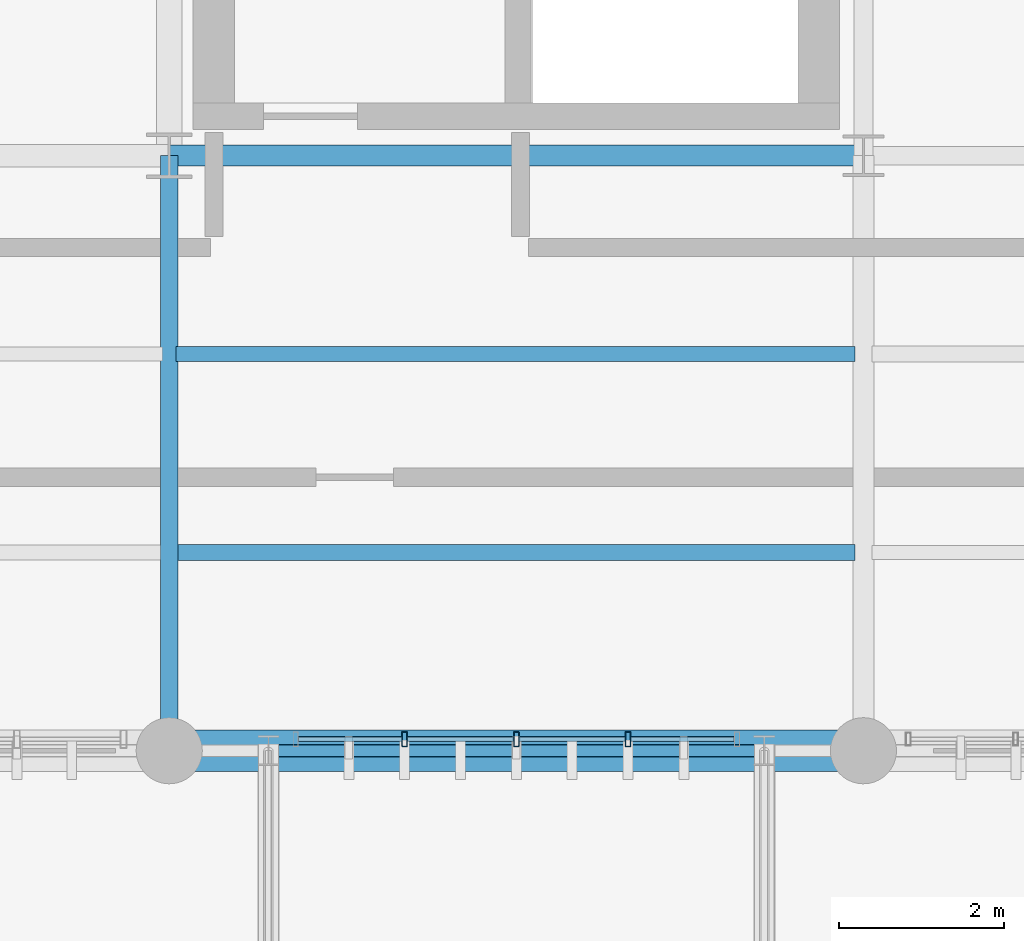
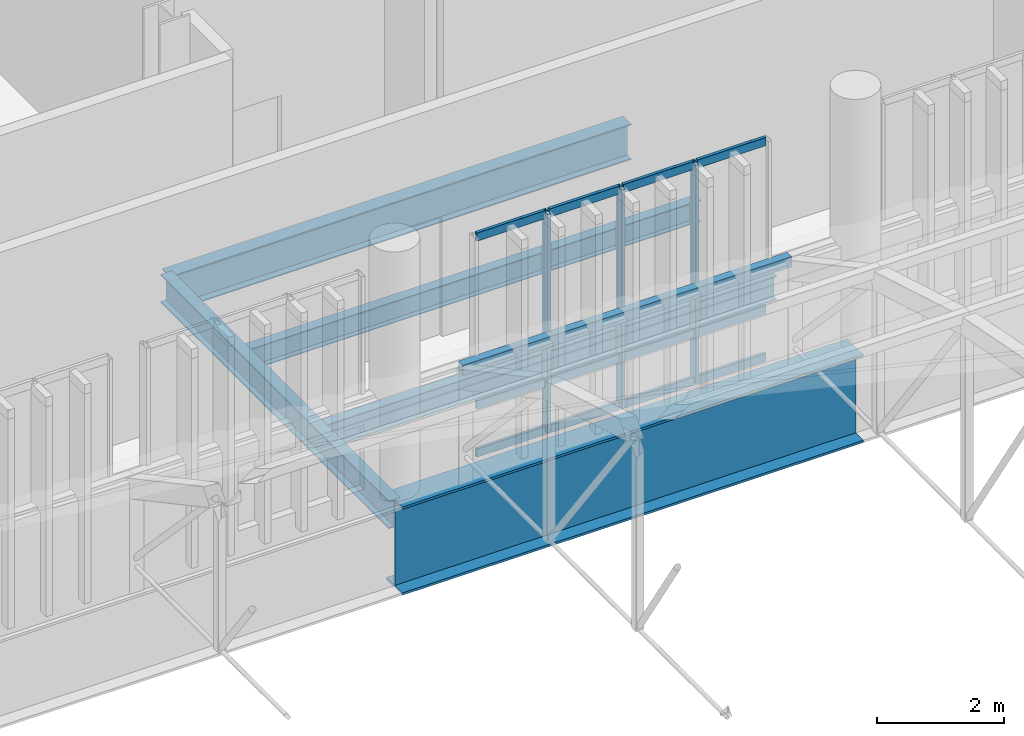
# One storey, part 51 of 109: 16 members, 5 beams, 1 element without a shape of its own.
"""IFC4 building model written with IfcOpenShell, lengths in metres."""

import ifcopenshell
import ifcopenshell.guid

model = None  # the IFC model being written
_history = None  # IfcOwnerHistory: only IFC2X3 demands one
_inside = {}  # id of a spatial element -> (the spatial element, [elements in it])
_under = {}  # id of a project, library or spatial element -> (it, [spatial elements below it])
_declared = {}  # id of a project -> (the project, [libraries it declares])
_typed = {}  # id of a type object -> (the type object, [elements of that type])
_made_of = {}  # id of a material, layer set ... -> (it, [elements and type objects made of it])


def new_model(schema):
    """Start an empty IFC model of exactly this schema.

    Asked for "IFC4X3", IfcOpenShell would pick the latest addendum, in which some entities
    have other attributes; the version numbers below select the first issue.
    IFC2X3 requires an IfcOwnerHistory on every rooted entity: one is made here for all.
    """
    global model, _history
    if schema == "IFC4X3":
        model = ifcopenshell.file(schema_version=(4, 3, 0, 0))
    else:
        model = ifcopenshell.file(schema=schema)
    _inside.clear()
    _under.clear()
    _declared.clear()
    _typed.clear()
    _made_of.clear()
    _history = None
    if model.schema == "IFC2X3":
        org = make("IfcOrganization", Name="unknown")
        user = make(
            "IfcPersonAndOrganization",
            ThePerson=make("IfcPerson", FamilyName="unknown"),
            TheOrganization=org,
        )
        app = make(
            "IfcApplication",
            ApplicationDeveloper=org,
            Version="unknown",
            ApplicationFullName="unknown",
            ApplicationIdentifier="unknown",
        )
        _history = make(
            "IfcOwnerHistory",
            OwningUser=user,
            OwningApplication=app,
            ChangeAction="ADDED",
            CreationDate=0,
        )
    return model


def make(cls, **values):
    """One entity of the class cls with the attributes given. An attribute that is None is left unset."""
    return model.create_entity(
        cls, **{name: value for name, value in values.items() if value is not None}
    )


def rooted(cls, **values):
    """An entity with a GlobalId (a new one), such as an element, a storey or a relation."""
    return make(cls, GlobalId=ifcopenshell.guid.new(), OwnerHistory=_history, **values)


def si_unit(unit_type, name, prefix=None):
    """IfcSIUnit, for example si_unit("LENGTHUNIT", "METRE", prefix="MILLI")."""
    return make("IfcSIUnit", UnitType=unit_type, Prefix=prefix, Name=name)


def assignment(units):
    """IfcUnitAssignment: the units of a project."""
    return None if units is None else make("IfcUnitAssignment", Units=units)


def point(xyz):
    """IfcCartesianPoint."""
    return None if xyz is None else make("IfcCartesianPoint", Coordinates=xyz)


def direction(xyz):
    """IfcDirection."""
    return None if xyz is None else make("IfcDirection", DirectionRatios=xyz)


def frame(location, z_axis=None, x_axis=None):
    """IfcAxis2Placement3D, a coordinate frame: its origin and axes. An axis left out is left unset."""
    return make(
        "IfcAxis2Placement3D",
        Location=point(location),
        Axis=direction(z_axis),
        RefDirection=direction(x_axis),
    )


def frame_2d(location, x_axis=None):
    """IfcAxis2Placement2D, a coordinate frame in the plane: its origin and x axis."""
    return make(
        "IfcAxis2Placement2D", Location=point(location), RefDirection=direction(x_axis)
    )


def origin_with_axes():
    """The frame at (0, 0, 0) with the z axis (0, 0, 1) and the x axis (1, 0, 0) written out."""
    return frame((0.0, 0.0, 0.0), z_axis=(0.0, 0.0, 1.0), x_axis=(1.0, 0.0, 0.0))


def origin_2d_with_axis():
    """The frame at (0, 0) in the plane with the x axis (1, 0) written out."""
    return frame_2d((0.0, 0.0), x_axis=(1.0, 0.0))


def place(relative_to, where):
    """IfcLocalPlacement: puts the frame where relative to a parent placement (None: the world)."""
    return make(
        "IfcLocalPlacement", PlacementRelTo=relative_to, RelativePlacement=where
    )


def context(
    kind, dimensions, precision=None, world=None, true_north=None, identifier=None
):
    """IfcGeometricRepresentationContext, for example the 3D "Model" context."""
    return make(
        "IfcGeometricRepresentationContext",
        ContextIdentifier=identifier,
        ContextType=kind,
        CoordinateSpaceDimension=dimensions,
        Precision=precision,
        WorldCoordinateSystem=world,
        TrueNorth=true_north,
    )


def subcontext(parent, identifier, kind, view, scale=None):
    """IfcGeometricRepresentationSubContext, for example "Body" below "Model"."""
    return make(
        "IfcGeometricRepresentationSubContext",
        ContextIdentifier=identifier,
        ContextType=kind,
        ParentContext=parent,
        TargetScale=scale,
        TargetView=view,
    )


def project(units=None, contexts=None):
    """IfcProject with its units and contexts."""
    return rooted(
        "IfcProject",
        Name="project",
        RepresentationContexts=contexts,
        UnitsInContext=assignment(units),
    )


def spatial(cls, under=None, at=None, **own):
    """A site, building, storey or space (cls), placed at a placement, below another one or the project."""
    s = rooted(cls, ObjectPlacement=at, **own)
    if under is not None:
        _under.setdefault(under.id(), (under, []))[1].append(s)
    return s


def profile(cls, at=None, kind="AREA", **sizes):
    """A parametric profile (cls). Its sizes go by their IFC names, for example OverallWidth=200.0."""
    return make(cls, ProfileType=kind, Position=at, **sizes)


def hollow_rectangle(**sizes):
    """IfcRectangleHollowProfileDef."""
    return profile("IfcRectangleHollowProfileDef", **sizes)


def i_section(**sizes):
    """IfcIShapeProfileDef."""
    return profile("IfcIShapeProfileDef", **sizes)


def extrude(swept, where, along, depth):
    """IfcExtrudedAreaSolid: the profile swept, set in the frame where, extruded along a direction by depth."""
    return make(
        "IfcExtrudedAreaSolid",
        SweptArea=swept,
        Position=where,
        ExtrudedDirection=direction(along),
        Depth=depth,
    )


def shape(context_of_items, identifier, shape_type, items):
    """IfcShapeRepresentation: the items that make up one representation, for example the "Body"."""
    return make(
        "IfcShapeRepresentation",
        ContextOfItems=context_of_items,
        RepresentationIdentifier=identifier,
        RepresentationType=shape_type,
        Items=items,
    )


def material(Name=None, Category=None):
    """IfcMaterial."""
    return make("IfcMaterial", Name=Name, Category=Category)


def material_profile(
    of_material, cross_section, Name=None, Category=None, Priority=None
):
    """IfcMaterialProfile: a cross section and its material."""
    return make(
        "IfcMaterialProfile",
        Name=Name,
        Material=of_material,
        Profile=cross_section,
        Priority=Priority,
        Category=Category,
    )


def profile_set(profiles, Name=None, composite=None):
    """IfcMaterialProfileSet."""
    return make(
        "IfcMaterialProfileSet",
        Name=Name,
        MaterialProfiles=profiles,
        CompositeProfile=composite,
    )


def made_of(thing, what):
    """Note that an element or type object is made of a material, layer set ...; save() writes the relation."""
    if what is not None:
        _made_of.setdefault(what.id(), (what, []))[1].append(thing)
    return thing


def type_object(cls, material=None, **own):
    """A type object (cls), such as IfcWallType, which elements share."""
    return made_of(rooted(cls, **own), material)


def element(
    cls,
    number,
    at=None,
    inside=None,
    cuts=None,
    type_object=None,
    material=None,
    context=None,
    identifier="Body",
    shape_type=None,
    held_by="IfcProductDefinitionShape",
    body=None,
    shapes=None,
    **own,
):
    """One element of the class cls, such as IfcWall. Its Tag is "e" and its number.

    at: its placement. inside: the storey or other place that contains it. cuts: it is an
    opening in that element (IfcRelVoidsElement). A single representation is given by context,
    identifier, shape_type and body (its items); several are given by shapes. held_by: the class
    of the entity that holds the representations. save() writes the other relations.
    """
    e = rooted(cls, Tag="e%d" % number, ObjectPlacement=at, **own)
    if body is not None:
        shapes = [shape(context, identifier, shape_type, body)]
    if shapes is not None:
        e.Representation = make(held_by, Representations=shapes)
    if inside is not None:
        _inside.setdefault(inside.id(), (inside, []))[1].append(e)
    if cuts is not None:
        rooted(
            "IfcRelVoidsElement", RelatingBuildingElement=cuts, RelatedOpeningElement=e
        )
    if type_object is not None:
        _typed.setdefault(type_object.id(), (type_object, []))[1].append(e)
    return made_of(e, material)


def aggregate(whole, parts):
    """IfcRelAggregates: a whole, such as a stair, and the parts it consists of."""
    return rooted("IfcRelAggregates", RelatingObject=whole, RelatedObjects=parts)


def save(model, path):
    """Write the relations noted so far, then the file.

    IfcRelAggregates (storeys below a building ...), IfcRelContainedInSpatialStructure (elements
    in a storey), IfcRelDefinesByType, IfcRelAssociatesMaterial and IfcRelDeclares: one each for
    every whole, place, type object, material and project.
    """
    for whole, parts in _under.values():
        aggregate(whole, parts)
    for where, things in _inside.values():
        rooted(
            "IfcRelContainedInSpatialStructure",
            RelatedElements=things,
            RelatingStructure=where,
        )
    for kind, things in _typed.values():
        rooted("IfcRelDefinesByType", RelatedObjects=things, RelatingType=kind)
    for what, things in _made_of.values():
        rooted("IfcRelAssociatesMaterial", RelatedObjects=things, RelatingMaterial=what)
    for by, libraries in _declared.values():
        rooted("IfcRelDeclares", RelatingContext=by, RelatedDefinitions=libraries)
    model.write(path)


model = new_model("IFC4")

# Units and contexts
model_context = context("Model", 3, precision=1e-05, world=origin_with_axes(), true_north=direction((0.0, 1.0)))
body_context = subcontext(model_context, "Body", "Model", "MODEL_VIEW")
ifc_project = project(units=[si_unit("LENGTHUNIT", "METRE"), si_unit("AREAUNIT", "SQUARE_METRE"), si_unit("VOLUMEUNIT", "CUBIC_METRE"), si_unit("PLANEANGLEUNIT", "RADIAN"), si_unit("MASSUNIT", "GRAM", prefix="KILO"), si_unit("THERMODYNAMICTEMPERATUREUNIT", "KELVIN")], contexts=[model_context])

# Site, building, storey
site_placement = place(None, origin_with_axes())
site = spatial("IfcSite", under=ifc_project, at=site_placement, CompositionType="ELEMENT")
building_placement = place(site_placement, origin_with_axes())
building = spatial("IfcBuilding", under=site, at=building_placement, Name="Montbau Bow Law Courts", CompositionType="ELEMENT")
storey_placement = place(building_placement, frame((0.0, 0.0, 10.8), z_axis=(0.0, 0.0, 1.0), x_axis=(1.0, 0.0, 0.0)))
storey = spatial("IfcBuildingStorey", under=building, at=storey_placement, Name="L02", CompositionType="ELEMENT", Elevation=10.8)

# Beams
ifc_material_1 = material(Name="Steel CSA G40.21 Grade 350W (350 MPa)", Category="steel")
ifc_material_profile_1 = material_profile(ifc_material_1, i_section(OverallWidth=0.254, OverallDepth=0.688, WebThickness=0.0131, FlangeThickness=0.0211, at=origin_2d_with_axis()), Name="W690X152", Category="Main", Priority=0)
ifc_profile_set_1 = profile_set([ifc_material_profile_1], Name="Steel CSA G40.21 Grade 350W (350 MPa)")
beam_type_1 = type_object("IfcBeamType", Name="B-FLR-04", PredefinedType="BEAM", material=ifc_profile_set_1)
beam_1_placement = place(None, frame((80.4, 46.2, 10.216), z_axis=(1.0, 0.0, 0.0), x_axis=(0.0, 1.0, 0.0)))
element("IfcBeam", 1, at=beam_1_placement, inside=storey, type_object=beam_type_1, Name="BM-L02-S0843:bm2_0846", PredefinedType="BEAM", context=body_context, shape_type="SweptSolid", body=[
    extrude(i_section(OverallWidth=0.254, OverallDepth=0.688, WebThickness=0.0131, FlangeThickness=0.0211, at=origin_2d_with_axis()), origin_with_axes(), (0.0, 0.0, 1.0), 8.4),
])
ifc_material_profile_2 = material_profile(ifc_material_1, i_section(OverallWidth=0.21, OverallDepth=0.537, WebThickness=0.0109, FlangeThickness=0.0174, at=origin_2d_with_axis()), Name="W530X101", Category="Main", Priority=0)
ifc_profile_set_2 = profile_set([ifc_material_profile_2], Name="Steel CSA G40.21 Grade 350W (350 MPa)")
beam_type_2 = type_object("IfcBeamType", Name="B-FLR-06", PredefinedType="BEAM", material=ifc_profile_set_2)
beam_2_placement = place(None, frame((80.4, 39.0, 10.292), z_axis=(0.0, 1.0, 0.0), x_axis=(-1.0, 0.0, 0.0)))
element("IfcBeam", 2, at=beam_2_placement, inside=storey, type_object=beam_type_2, Name="BM-L02-S0866:bm2_0869", PredefinedType="BEAM", context=body_context, shape_type="SweptSolid", body=[
    extrude(i_section(OverallWidth=0.21, OverallDepth=0.537, WebThickness=0.0109, FlangeThickness=0.0174, at=origin_2d_with_axis()), origin_with_axes(), (0.0, 0.0, 1.0), 7.2),
])
ifc_material_profile_3 = material_profile(ifc_material_1, i_section(OverallWidth=0.191, OverallDepth=0.46, WebThickness=0.0099, FlangeThickness=0.016, at=origin_2d_with_axis()), Name="W460X82", Category="Main", Priority=0)
ifc_profile_set_3 = profile_set([ifc_material_profile_3], Name="Steel CSA G40.21 Grade 350W (350 MPa)")
beam_type_3 = type_object("IfcBeamType", Name="B-JST-01", PredefinedType="JOIST", material=ifc_profile_set_3)
beam_3_placement = place(None, frame((80.481, 41.4, 10.33), z_axis=(1.0, 0.0, 0.0), x_axis=(0.0, 1.0, 0.0)))
element("IfcBeam", 3, at=beam_3_placement, inside=storey, type_object=beam_type_3, Name="JST-L02-S0448:jst2_0448", PredefinedType="JOIST", context=body_context, shape_type="SweptSolid", body=[
    extrude(i_section(OverallWidth=0.191, OverallDepth=0.46, WebThickness=0.0099, FlangeThickness=0.016, at=origin_2d_with_axis()), origin_with_axes(), (0.0, 0.0, 1.0), 8.216),
])
ifc_material_profile_4 = material_profile(ifc_material_1, i_section(OverallWidth=0.179, OverallDepth=0.41, WebThickness=0.0088, FlangeThickness=0.0144, at=origin_2d_with_axis()), Name="W410X67", Category="Main", Priority=0)
ifc_profile_set_4 = profile_set([ifc_material_profile_4], Name="Steel CSA G40.21 Grade 350W (350 MPa)")
beam_type_4 = type_object("IfcBeamType", Name="B-JST-02", PredefinedType="JOIST", material=ifc_profile_set_4)
beam_4_placement = place(None, frame((80.481, 43.8, 10.355), z_axis=(1.0, 0.0, 0.0), x_axis=(0.0, 1.0, 0.0)))
element("IfcBeam", 4, at=beam_4_placement, inside=storey, type_object=beam_type_4, Name="JST-L02-S0449:jst2_0449", PredefinedType="JOIST", context=body_context, shape_type="SweptSolid", body=[
    extrude(i_section(OverallWidth=0.179, OverallDepth=0.41, WebThickness=0.0088, FlangeThickness=0.0144, at=origin_2d_with_axis()), origin_with_axes(), (0.0, 0.0, 1.0), 8.216),
])
ifc_material_2 = material(Name="Steel CSA G40.21 Grade 350WT (350 MPa)", Category="steel")
ifc_material_profile_5 = material_profile(ifc_material_2, i_section(OverallWidth=0.5, OverallDepth=1.7, WebThickness=0.02, FlangeThickness=0.045, at=origin_2d_with_axis()), Name="WWF1700X480", Category="Main", Priority=0)
ifc_profile_set_5 = profile_set([ifc_material_profile_5], Name="Steel CSA G40.21 Grade 350WT (350 MPa)")
beam_type_5 = type_object("IfcBeamType", Name="B-TRG-02", PredefinedType="USERDEFINED", material=ifc_profile_set_5)
beam_5_placement = place(None, frame((80.4, 39.0, 9.71), z_axis=(1.0, 0.0, 0.0), x_axis=(0.0, 1.0, 0.0)))
element("IfcBeam", 5, at=beam_5_placement, inside=storey, type_object=beam_type_5, Name="VRG-L02-S0016:bm2_0019", ObjectType="GIRDER", PredefinedType="USERDEFINED", context=body_context, shape_type="SweptSolid", body=[
    extrude(i_section(OverallWidth=0.5, OverallDepth=1.7, WebThickness=0.02, FlangeThickness=0.045, at=origin_2d_with_axis()), origin_with_axes(), (0.0, 0.0, 1.0), 8.4),
])

# Curtain wall, members
ifc_material_3 = material(Name="Thermally Broken Extruded Aluminium AA 6063-T6", Category="aluminium")
curtain_wall_type = type_object("IfcCurtainWallType", Name="CW-CRM-01", PredefinedType="NOTDEFINED", material=ifc_material_3)
curtain_wall_placement = place(None, frame((81.897, 39.14, 10.8), z_axis=(0.0, 0.0, 1.0), x_axis=(1.0, 0.0, 0.0)))
curtain_wall = element("IfcCurtainWall", 6, at=curtain_wall_placement, inside=storey, type_object=curtain_wall_type, Name="CW-L02-160:cw_0160", PredefinedType="NOTDEFINED")
ifc_material_profile_6 = material_profile(ifc_material_3, hollow_rectangle(XDim=0.065, YDim=0.18, WallThickness=0.005, InnerFilletRadius=0.01, OuterFilletRadius=0.005, at=origin_2d_with_axis()), Name="CWM-180X65", Category="Main", Priority=0)
ifc_profile_set_6 = profile_set([ifc_material_profile_6], Name="Thermally Broken Extruded Aluminium AA 6063-T6")
member_type_1 = type_object("IfcMemberType", Name="M-MUL-02", PredefinedType="MULLION", material=ifc_profile_set_6)
member_1_placement = place(None, frame((83.248, 39.14, 10.8), z_axis=(0.0, 0.0, 1.0), x_axis=(1.0, 0.0, 0.0)))
member_1 = element("IfcMember", 7, at=member_1_placement, type_object=member_type_1, Name="CW-L02-160-M02:cw_0160_M02", PredefinedType="MULLION", context=body_context, shape_type="SweptSolid", body=[
    extrude(hollow_rectangle(XDim=0.065, YDim=0.18, WallThickness=0.005, InnerFilletRadius=0.01, OuterFilletRadius=0.005, at=origin_2d_with_axis()), origin_with_axes(), (0.0, 0.0, 1.0), 4.22),
])
member_2_placement = place(None, frame((84.6, 39.14, 10.8), z_axis=(0.0, 0.0, 1.0), x_axis=(1.0, 0.0, 0.0)))
member_2 = element("IfcMember", 8, at=member_2_placement, type_object=member_type_1, Name="CW-L02-160-M03:cw_0160_M03", PredefinedType="MULLION", context=body_context, shape_type="SweptSolid", body=[
    extrude(hollow_rectangle(XDim=0.065, YDim=0.18, WallThickness=0.005, InnerFilletRadius=0.01, OuterFilletRadius=0.005, at=origin_2d_with_axis()), origin_with_axes(), (0.0, 0.0, 1.0), 4.22),
])
member_3_placement = place(None, frame((85.951, 39.14, 10.8), z_axis=(0.0, 0.0, 1.0), x_axis=(1.0, 0.0, 0.0)))
member_3 = element("IfcMember", 9, at=member_3_placement, type_object=member_type_1, Name="CW-L02-160-M04:cw_0160_M04", PredefinedType="MULLION", context=body_context, shape_type="SweptSolid", body=[
    extrude(hollow_rectangle(XDim=0.065, YDim=0.18, WallThickness=0.005, InnerFilletRadius=0.01, OuterFilletRadius=0.005, at=origin_2d_with_axis()), origin_with_axes(), (0.0, 0.0, 1.0), 4.22),
])

# Member
ifc_material_profile_7 = material_profile(ifc_material_2, hollow_rectangle(XDim=0.152, YDim=0.203, WallThickness=0.0095, InnerFilletRadius=0.019, OuterFilletRadius=0.0095, at=origin_2d_with_axis()), Name="HSS203X152X9.5", Category="Main", Priority=0)
ifc_profile_set_7 = profile_set([ifc_material_profile_7], Name="Steel CSA G40.21 Grade 350WT (350 MPa)")
member_type_2 = type_object("IfcMemberType", Name="M-PUR-01", PredefinedType="PURLIN", material=ifc_profile_set_7)
member_4_placement = place(None, frame((81.6, 39.0, 12.658), z_axis=(1.0, 0.0, 0.0), x_axis=(0.0, 1.0, 0.0)))
element("IfcMember", 10, at=member_4_placement, inside=storey, type_object=member_type_2, Name="Barrel vault roof truss purlin V4-077", PredefinedType="PURLIN", context=body_context, shape_type="SweptSolid", body=[
    extrude(hollow_rectangle(XDim=0.152, YDim=0.203, WallThickness=0.0095, InnerFilletRadius=0.019, OuterFilletRadius=0.0095, at=origin_2d_with_axis()), origin_with_axes(), (0.0, 0.0, 1.0), 6.0),
])

ifc_material_profile_8 = material_profile(ifc_material_3, hollow_rectangle(XDim=0.06, YDim=0.16, WallThickness=0.004, InnerFilletRadius=0.008, OuterFilletRadius=0.004, at=origin_2d_with_axis()), Name="CWT-160X60", Category="Main", Priority=0)
ifc_profile_set_8 = profile_set([ifc_material_profile_8], Name="Thermally Broken Extruded Aluminium AA 6063-T6")
member_type_3 = type_object("IfcMemberType", Name="M-TRN-01", PredefinedType="USERDEFINED", material=ifc_profile_set_8)
member_5_placement = place(None, frame((81.965, 39.14, 10.83), z_axis=(1.0, 0.0, 0.0), x_axis=(0.0, 1.0, 0.0)))
member_5 = element("IfcMember", 11, at=member_5_placement, type_object=member_type_3, Name="CW-L02-160-T01-1:cw_0160_T01_1", ObjectType="TRANSOM", PredefinedType="USERDEFINED", context=body_context, shape_type="SweptSolid", body=[
    extrude(hollow_rectangle(XDim=0.06, YDim=0.16, WallThickness=0.004, InnerFilletRadius=0.008, OuterFilletRadius=0.004, at=origin_2d_with_axis()), origin_with_axes(), (0.0, 0.0, 1.0), 1.249),
])

member_6_placement = place(None, frame((81.965, 39.14, 11.75), z_axis=(1.0, 0.0, 0.0), x_axis=(0.0, 1.0, 0.0)))
member_6 = element("IfcMember", 12, at=member_6_placement, type_object=member_type_3, Name="CW-L02-160-T01-2:cw_0160_T01_2", ObjectType="TRANSOM", PredefinedType="USERDEFINED", context=body_context, shape_type="SweptSolid", body=[
    extrude(hollow_rectangle(XDim=0.06, YDim=0.16, WallThickness=0.004, InnerFilletRadius=0.008, OuterFilletRadius=0.004, at=origin_2d_with_axis()), origin_with_axes(), (0.0, 0.0, 1.0), 1.249),
])

member_7_placement = place(None, frame((81.965, 39.14, 14.99), z_axis=(1.0, 0.0, 0.0), x_axis=(0.0, 1.0, 0.0)))
member_7 = element("IfcMember", 13, at=member_7_placement, type_object=member_type_3, Name="CW-L02-160-T01-3:cw_0160_T01_3", ObjectType="TRANSOM", PredefinedType="USERDEFINED", context=body_context, shape_type="SweptSolid", body=[
    extrude(hollow_rectangle(XDim=0.06, YDim=0.16, WallThickness=0.004, InnerFilletRadius=0.008, OuterFilletRadius=0.004, at=origin_2d_with_axis()), origin_with_axes(), (0.0, 0.0, 1.0), 1.249),
])

member_8_placement = place(None, frame((83.282, 39.14, 10.83), z_axis=(1.0, 0.0, 0.0), x_axis=(0.0, 1.0, 0.0)))
member_8 = element("IfcMember", 14, at=member_8_placement, type_object=member_type_3, Name="CW-L02-160-T02-1:cw_0160_T02_1", ObjectType="TRANSOM", PredefinedType="USERDEFINED", context=body_context, shape_type="SweptSolid", body=[
    extrude(hollow_rectangle(XDim=0.06, YDim=0.16, WallThickness=0.004, InnerFilletRadius=0.008, OuterFilletRadius=0.004, at=origin_2d_with_axis()), origin_with_axes(), (0.0, 0.0, 1.0), 1.283),
])

member_9_placement = place(None, frame((83.282, 39.14, 11.75), z_axis=(1.0, 0.0, 0.0), x_axis=(0.0, 1.0, 0.0)))
member_9 = element("IfcMember", 15, at=member_9_placement, type_object=member_type_3, Name="CW-L02-160-T02-2:cw_0160_T02_2", ObjectType="TRANSOM", PredefinedType="USERDEFINED", context=body_context, shape_type="SweptSolid", body=[
    extrude(hollow_rectangle(XDim=0.06, YDim=0.16, WallThickness=0.004, InnerFilletRadius=0.008, OuterFilletRadius=0.004, at=origin_2d_with_axis()), origin_with_axes(), (0.0, 0.0, 1.0), 1.283),
])

member_10_placement = place(None, frame((83.282, 39.14, 14.99), z_axis=(1.0, 0.0, 0.0), x_axis=(0.0, 1.0, 0.0)))
member_10 = element("IfcMember", 16, at=member_10_placement, type_object=member_type_3, Name="CW-L02-160-T02-3:cw_0160_T02_3", ObjectType="TRANSOM", PredefinedType="USERDEFINED", context=body_context, shape_type="SweptSolid", body=[
    extrude(hollow_rectangle(XDim=0.06, YDim=0.16, WallThickness=0.004, InnerFilletRadius=0.008, OuterFilletRadius=0.004, at=origin_2d_with_axis()), origin_with_axes(), (0.0, 0.0, 1.0), 1.283),
])

member_11_placement = place(None, frame((84.634, 39.14, 10.83), z_axis=(1.0, 0.0, 0.0), x_axis=(0.0, 1.0, 0.0)))
member_11 = element("IfcMember", 17, at=member_11_placement, type_object=member_type_3, Name="CW-L02-160-T03-1:cw_0160_T03_1", ObjectType="TRANSOM", PredefinedType="USERDEFINED", context=body_context, shape_type="SweptSolid", body=[
    extrude(hollow_rectangle(XDim=0.06, YDim=0.16, WallThickness=0.004, InnerFilletRadius=0.008, OuterFilletRadius=0.004, at=origin_2d_with_axis()), origin_with_axes(), (0.0, 0.0, 1.0), 1.283),
])

member_12_placement = place(None, frame((84.634, 39.14, 11.75), z_axis=(1.0, 0.0, 0.0), x_axis=(0.0, 1.0, 0.0)))
member_12 = element("IfcMember", 18, at=member_12_placement, type_object=member_type_3, Name="CW-L02-160-T03-2:cw_0160_T03_2", ObjectType="TRANSOM", PredefinedType="USERDEFINED", context=body_context, shape_type="SweptSolid", body=[
    extrude(hollow_rectangle(XDim=0.06, YDim=0.16, WallThickness=0.004, InnerFilletRadius=0.008, OuterFilletRadius=0.004, at=origin_2d_with_axis()), origin_with_axes(), (0.0, 0.0, 1.0), 1.283),
])

member_13_placement = place(None, frame((84.634, 39.14, 14.99), z_axis=(1.0, 0.0, 0.0), x_axis=(0.0, 1.0, 0.0)))
member_13 = element("IfcMember", 19, at=member_13_placement, type_object=member_type_3, Name="CW-L02-160-T03-3:cw_0160_T03_3", ObjectType="TRANSOM", PredefinedType="USERDEFINED", context=body_context, shape_type="SweptSolid", body=[
    extrude(hollow_rectangle(XDim=0.06, YDim=0.16, WallThickness=0.004, InnerFilletRadius=0.008, OuterFilletRadius=0.004, at=origin_2d_with_axis()), origin_with_axes(), (0.0, 0.0, 1.0), 1.283),
])

member_14_placement = place(None, frame((85.985, 39.14, 10.83), z_axis=(1.0, 0.0, 0.0), x_axis=(0.0, 1.0, 0.0)))
member_14 = element("IfcMember", 20, at=member_14_placement, type_object=member_type_3, Name="CW-L02-160-T04-1:cw_0160_T04_1", ObjectType="TRANSOM", PredefinedType="USERDEFINED", context=body_context, shape_type="SweptSolid", body=[
    extrude(hollow_rectangle(XDim=0.06, YDim=0.16, WallThickness=0.004, InnerFilletRadius=0.008, OuterFilletRadius=0.004, at=origin_2d_with_axis()), origin_with_axes(), (0.0, 0.0, 1.0), 1.251),
])

member_15_placement = place(None, frame((85.985, 39.14, 11.75), z_axis=(1.0, 0.0, 0.0), x_axis=(0.0, 1.0, 0.0)))
member_15 = element("IfcMember", 21, at=member_15_placement, type_object=member_type_3, Name="CW-L02-160-T04-2:cw_0160_T04_2", ObjectType="TRANSOM", PredefinedType="USERDEFINED", context=body_context, shape_type="SweptSolid", body=[
    extrude(hollow_rectangle(XDim=0.06, YDim=0.16, WallThickness=0.004, InnerFilletRadius=0.008, OuterFilletRadius=0.004, at=origin_2d_with_axis()), origin_with_axes(), (0.0, 0.0, 1.0), 1.251),
])

member_16_placement = place(None, frame((85.985, 39.14, 14.99), z_axis=(1.0, 0.0, 0.0), x_axis=(0.0, 1.0, 0.0)))
member_16 = element("IfcMember", 22, at=member_16_placement, type_object=member_type_3, Name="CW-L02-160-T04-3:cw_0160_T04_3", ObjectType="TRANSOM", PredefinedType="USERDEFINED", context=body_context, shape_type="SweptSolid", body=[
    extrude(hollow_rectangle(XDim=0.06, YDim=0.16, WallThickness=0.004, InnerFilletRadius=0.008, OuterFilletRadius=0.004, at=origin_2d_with_axis()), origin_with_axes(), (0.0, 0.0, 1.0), 1.251),
])

aggregate(curtain_wall, [member_1, member_2, member_3, member_5, member_6, member_7, member_8, member_9, member_10, member_11, member_12, member_13, member_14, member_15, member_16])

save(model, "model.ifc")
